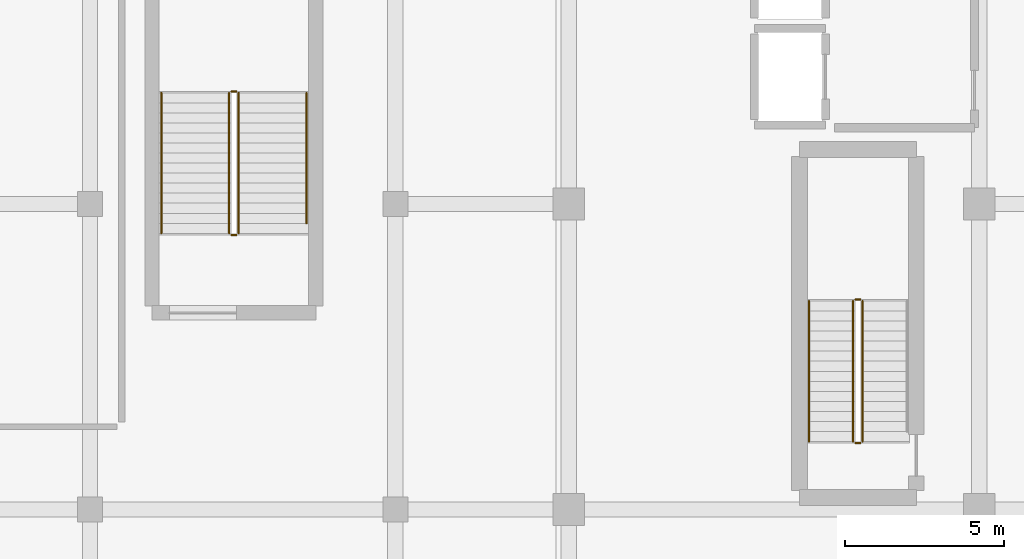
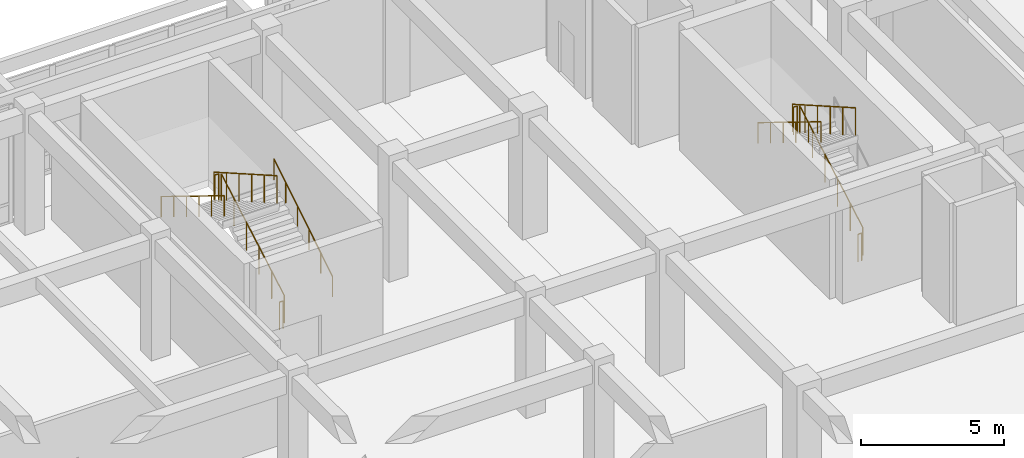
# One storey, part 131 of 134: 11 railings.
"""IFC4 building model written with IfcOpenShell, lengths in metres."""

from ifc_helpers import new_model, si_unit, direction, frame, origin, origin_2d, place, context, subcontext, project, spatial, circle, extrude, material, type_object, element, save


model = new_model("IFC4")

# Units and contexts
model_context = context("Model", 3, precision=1e-05, world=origin(), true_north=direction((0.0, 1.0)))
body_context = subcontext(model_context, "Body", "Model", "MODEL_VIEW")
ifc_project = project(units=[si_unit("LENGTHUNIT", "METRE"), si_unit("AREAUNIT", "SQUARE_METRE"), si_unit("VOLUMEUNIT", "CUBIC_METRE"), si_unit("PLANEANGLEUNIT", "RADIAN"), si_unit("MASSUNIT", "GRAM", prefix="KILO")], contexts=[model_context])

# Site, building, storey
site_placement = place(None, origin())
site = spatial("IfcSite", under=ifc_project, at=site_placement, CompositionType="ELEMENT")
building_placement = place(site_placement, origin())
building = spatial("IfcBuilding", under=site, at=building_placement, Name="Nakhvara Creek Congress Hotel", CompositionType="ELEMENT")
storey_placement = place(building_placement, frame((0.0, 0.0, 6.0)))
storey = spatial("IfcBuildingStorey", under=building, at=storey_placement, Name="L01", CompositionType="ELEMENT", Elevation=6.0)

# Railings
ifc_material = material(Name="Brushed stainless steel 316L", Category="steel")
railing_type_1 = type_object("IfcRailingType", Name="RL-GUARD-1200", PredefinedType="GUARDRAIL", material=ifc_material)
railing_1_placement = place(storey_placement, frame((158.68505859375, 78.93994140625, 0.179931640625)))
element("IfcRailing", 1, at=railing_1_placement, inside=storey, type_object=railing_type_1, Name="L01 ST01 stair guard 1", PredefinedType="GUARDRAIL", context=body_context, shape_type="SweptSolid", body=[
    extrude(circle(Radius=0.02392578125, at=origin_2d()), frame((0.0, 0.0126953125, 1.18310546875), z_axis=(0.0, 0.868249057775, 0.496128585825), x_axis=(-1.0, 0.0, 0.0)), (0.0, 0.0, 1.0), 5.050048828125),
    extrude(circle(Radius=0.02099609375, at=origin_2d()), origin(), (0.0, 0.0, 1.0), 1.1806640625),
    extrude(circle(Radius=0.02099609375, at=origin_2d()), frame((0.0, 0.882080078125, 0.50390625)), (0.0, 0.0, 1.0), 1.1806640625),
    extrude(circle(Radius=0.02099609375, at=origin_2d()), frame((0.0, 1.76416015625, 1.008056640625)), (0.0, 0.0, 1.0), 1.1806640625),
    extrude(circle(Radius=0.02099609375, at=origin_2d()), frame((0.0, 2.64599609375, 1.511962890625)), (0.0, 0.0, 1.0), 1.1806640625),
    extrude(circle(Radius=0.02099609375, at=origin_2d()), frame((0.0, 3.528076171875, 2.01611328125)), (0.0, 0.0, 1.0), 1.1806640625),
    extrude(circle(Radius=0.02099609375, at=origin_2d()), frame((0.0, 4.41015625, 2.52001953125)), (0.0, 0.0, 1.0), 1.1806640625),
])
railing_2_placement = place(storey_placement, frame((158.610107421875, 83.39990234375, 2.699951171875)))
element("IfcRailing", 2, at=railing_2_placement, inside=storey, type_object=railing_type_1, Name="L01 ST01 stair guard 2", PredefinedType="GUARDRAIL", context=body_context, shape_type="SweptSolid", body=[
    extrude(circle(Radius=0.02392578125, at=origin_2d()), frame((-0.0146484375, 0.0, 1.17578125), z_axis=(-1.0, 0.0, 0.0), x_axis=(0.0, -1.0, 0.0)), (0.0, 0.0, 1.0), 0.120849609375),
    extrude(circle(Radius=0.02099609375, at=origin_2d()), origin(), (0.0, 0.0, 1.0), 1.1806640625),
    extrude(circle(Radius=0.02099609375, at=origin_2d()), frame((-0.150146484375, 0.0, 0.0)), (0.0, 0.0, 1.0), 1.1806640625),
])
railing_3_placement = place(storey_placement, frame((158.385009765625, 83.35009765625, 2.8798828125)))
element("IfcRailing", 3, at=railing_3_placement, inside=storey, type_object=railing_type_1, Name="L01 ST01 stair guard 3", PredefinedType="GUARDRAIL", context=body_context, shape_type="SweptSolid", body=[
    extrude(circle(Radius=0.02392578125, at=origin_2d()), frame((0.0, -0.0126953125, 1.18310546875), z_axis=(0.0, -0.868249057775, 0.496128585825), x_axis=(1.0, 0.0, 0.0)), (0.0, 0.0, 1.0), 5.050048828125),
    extrude(circle(Radius=0.02099609375, at=origin_2d()), origin(), (0.0, 0.0, 1.0), 1.1806640625),
    extrude(circle(Radius=0.02099609375, at=origin_2d()), frame((0.0, -0.882080078125, 0.50390625)), (0.0, 0.0, 1.0), 1.1806640625),
    extrude(circle(Radius=0.02099609375, at=origin_2d()), frame((0.0, -1.76416015625, 1.008056640625)), (0.0, 0.0, 1.0), 1.1806640625),
    extrude(circle(Radius=0.02099609375, at=origin_2d()), frame((0.0, -2.64599609375, 1.511962890625)), (0.0, 0.0, 1.0), 1.1806640625),
    extrude(circle(Radius=0.02099609375, at=origin_2d()), frame((0.0, -3.528076171875, 2.01611328125)), (0.0, 0.0, 1.0), 1.1806640625),
    extrude(circle(Radius=0.02099609375, at=origin_2d()), frame((0.0, -4.41015625, 2.52001953125)), (0.0, 0.0, 1.0), 1.1806640625),
])
railing_4_placement = place(storey_placement, frame((158.610107421875, 78.889892578125, 0.0)))
element("IfcRailing", 4, at=railing_4_placement, inside=storey, type_object=railing_type_1, Name="L01 ST01 stair guard 4", PredefinedType="GUARDRAIL", context=body_context, shape_type="SweptSolid", body=[
    extrude(circle(Radius=0.02392578125, at=origin_2d()), frame((-0.0146484375, 0.0, 1.17578125), z_axis=(-1.0, 0.0, 0.0), x_axis=(0.0, -1.0, 0.0)), (0.0, 0.0, 1.0), 0.120849609375),
    extrude(circle(Radius=0.02099609375, at=origin_2d()), origin(), (0.0, 0.0, 1.0), 1.1806640625),
    extrude(circle(Radius=0.02099609375, at=origin_2d()), frame((-0.150146484375, 0.0, 0.0)), (0.0, 0.0, 1.0), 1.1806640625),
])
railing_5_placement = place(storey_placement, frame((139.074951171875, 85.47998046875, 0.179931640625)))
element("IfcRailing", 5, at=railing_5_placement, inside=storey, type_object=railing_type_1, Name="L01 ST10 stair guard 1", PredefinedType="GUARDRAIL", context=body_context, shape_type="SweptSolid", body=[
    extrude(circle(Radius=0.02392578125, at=origin_2d()), frame((0.0, 0.0126953125, 1.18310546875), z_axis=(0.0, 0.868237226104, 0.49614929125), x_axis=(-1.0, 0.0, 0.0)), (0.0, 0.0, 1.0), 5.0498046875),
    extrude(circle(Radius=0.02099609375, at=origin_2d()), origin(), (0.0, 0.0, 1.0), 1.1806640625),
    extrude(circle(Radius=0.02099609375, at=origin_2d()), frame((0.0, 0.882080078125, 0.50390625)), (0.0, 0.0, 1.0), 1.1806640625),
    extrude(circle(Radius=0.02099609375, at=origin_2d()), frame((0.0, 1.763916015625, 1.008056640625)), (0.0, 0.0, 1.0), 1.1806640625),
    extrude(circle(Radius=0.02099609375, at=origin_2d()), frame((0.0, 2.64599609375, 1.511962890625)), (0.0, 0.0, 1.0), 1.1806640625),
    extrude(circle(Radius=0.02099609375, at=origin_2d()), frame((0.0, 3.52783203125, 2.01611328125)), (0.0, 0.0, 1.0), 1.1806640625),
    extrude(circle(Radius=0.02099609375, at=origin_2d()), frame((0.0, 4.409912109375, 2.52001953125)), (0.0, 0.0, 1.0), 1.1806640625),
])
railing_6_placement = place(storey_placement, frame((139.0, 89.93994140625, 2.699951171875)))
element("IfcRailing", 6, at=railing_6_placement, inside=storey, type_object=railing_type_1, Name="L01 ST10 stair guard 2", PredefinedType="GUARDRAIL", context=body_context, shape_type="SweptSolid", body=[
    extrude(circle(Radius=0.02392578125, at=origin_2d()), frame((-0.0146484375, 0.0, 1.17578125), z_axis=(-1.0, 0.0, 0.0), x_axis=(0.0, -1.0, 0.0)), (0.0, 0.0, 1.0), 0.12060546875),
    extrude(circle(Radius=0.02099609375, at=origin_2d()), origin(), (0.0, 0.0, 1.0), 1.1806640625),
    extrude(circle(Radius=0.02099609375, at=origin_2d()), frame((-0.14990234375, 0.0, 0.0)), (0.0, 0.0, 1.0), 1.1806640625),
])
railing_7_placement = place(storey_placement, frame((138.77490234375, 89.889892578125, 2.8798828125)))
element("IfcRailing", 7, at=railing_7_placement, inside=storey, type_object=railing_type_1, Name="L01 ST10 stair guard 3", PredefinedType="GUARDRAIL", context=body_context, shape_type="SweptSolid", body=[
    extrude(circle(Radius=0.02392578125, at=origin_2d()), frame((0.0, -0.0126953125, 1.18310546875), z_axis=(0.0, -0.868237226104, 0.49614929125), x_axis=(1.0, 0.0, 0.0)), (0.0, 0.0, 1.0), 5.0498046875),
    extrude(circle(Radius=0.02099609375, at=origin_2d()), origin(), (0.0, 0.0, 1.0), 1.1806640625),
    extrude(circle(Radius=0.02099609375, at=origin_2d()), frame((0.0, -0.882080078125, 0.50390625)), (0.0, 0.0, 1.0), 1.1806640625),
    extrude(circle(Radius=0.02099609375, at=origin_2d()), frame((0.0, -1.763916015625, 1.008056640625)), (0.0, 0.0, 1.0), 1.1806640625),
    extrude(circle(Radius=0.02099609375, at=origin_2d()), frame((0.0, -2.64599609375, 1.511962890625)), (0.0, 0.0, 1.0), 1.1806640625),
    extrude(circle(Radius=0.02099609375, at=origin_2d()), frame((0.0, -3.52783203125, 2.01611328125)), (0.0, 0.0, 1.0), 1.1806640625),
    extrude(circle(Radius=0.02099609375, at=origin_2d()), frame((0.0, -4.409912109375, 2.52001953125)), (0.0, 0.0, 1.0), 1.1806640625),
])
railing_8_placement = place(storey_placement, frame((139.0, 85.429931640625, 0.0)))
element("IfcRailing", 8, at=railing_8_placement, inside=storey, type_object=railing_type_1, Name="L01 ST10 stair guard 4", PredefinedType="GUARDRAIL", context=body_context, shape_type="SweptSolid", body=[
    extrude(circle(Radius=0.02392578125, at=origin_2d()), frame((-0.0146484375, 0.0, 1.17578125), z_axis=(-1.0, 0.0, 0.0), x_axis=(0.0, -1.0, 0.0)), (0.0, 0.0, 1.0), 0.12060546875),
    extrude(circle(Radius=0.02099609375, at=origin_2d()), origin(), (0.0, 0.0, 1.0), 1.1806640625),
    extrude(circle(Radius=0.02099609375, at=origin_2d()), frame((-0.14990234375, 0.0, 0.0)), (0.0, 0.0, 1.0), 1.1806640625),
])
railing_type_2 = type_object("IfcRailingType", Name="RL-HAND-900", PredefinedType="HANDRAIL", material=ifc_material)
railing_9_placement = place(storey_placement, frame((156.9951171875, 83.35009765625, 2.8798828125)))
element("IfcRailing", 9, at=railing_9_placement, inside=storey, type_object=railing_type_2, Name="L01 ST01 stair handrail 2", PredefinedType="HANDRAIL", context=body_context, shape_type="SweptSolid", body=[
    extrude(circle(Radius=0.02392578125, at=origin_2d()), frame((0.0, -0.012451171875, 0.883544921875), z_axis=(0.0, -0.851896254754, 0.523710579553), x_axis=(1.0, 0.0, 0.0)), (0.0, 0.0, 1.0), 5.1474609375),
    extrude(circle(Radius=0.02099609375, at=origin_2d()), origin(), (0.0, 0.0, 1.0), 0.880615234375),
    extrude(circle(Radius=0.02099609375, at=origin_2d()), frame((0.0, -0.882080078125, 0.542236328125)), (0.0, 0.0, 1.0), 0.880615234375),
    extrude(circle(Radius=0.02099609375, at=origin_2d()), frame((0.0, -1.76416015625, 1.08447265625)), (0.0, 0.0, 1.0), 0.880615234375),
    extrude(circle(Radius=0.02099609375, at=origin_2d()), frame((0.0, -2.64599609375, 1.626708984375)), (0.0, 0.0, 1.0), 0.880615234375),
    extrude(circle(Radius=0.02099609375, at=origin_2d()), frame((0.0, -3.528076171875, 2.1689453125)), (0.0, 0.0, 1.0), 0.880615234375),
    extrude(circle(Radius=0.02099609375, at=origin_2d()), frame((0.0, -4.41015625, 2.711181640625)), (0.0, 0.0, 1.0), 0.880615234375),
])
railing_10_placement = place(storey_placement, frame((141.205078125, 85.794921875, 0.360107421875)))
element("IfcRailing", 10, at=railing_10_placement, inside=storey, type_object=railing_type_2, Name="L01 ST10 stair handrail 1", PredefinedType="HANDRAIL", context=body_context, shape_type="SweptSolid", body=[
    extrude(circle(Radius=0.02392578125, at=origin_2d()), frame((0.0, 0.012451171875, 0.883544921875), z_axis=(0.0, 0.850634571024, 0.52575738376), x_axis=(-1.0, 0.0, 0.0)), (0.0, 0.0, 1.0), 4.78466796875),
    extrude(circle(Radius=0.02099609375, at=origin_2d()), origin(), (0.0, 0.0, 1.0), 0.880615234375),
    extrude(circle(Radius=0.02099609375, at=origin_2d()), frame((0.0, 0.819091796875, 0.506103515625)), (0.0, 0.0, 1.0), 0.880615234375),
    extrude(circle(Radius=0.02099609375, at=origin_2d()), frame((0.0, 1.637939453125, 1.012451171875)), (0.0, 0.0, 1.0), 0.880615234375),
    extrude(circle(Radius=0.02099609375, at=origin_2d()), frame((0.0, 2.45703125, 1.5185546875)), (0.0, 0.0, 1.0), 0.880615234375),
    extrude(circle(Radius=0.02099609375, at=origin_2d()), frame((0.0, 3.27587890625, 2.02490234375)), (0.0, 0.0, 1.0), 0.880615234375),
    extrude(circle(Radius=0.02099609375, at=origin_2d()), frame((0.0, 4.094970703125, 2.531005859375)), (0.0, 0.0, 1.0), 0.880615234375),
])
railing_11_placement = place(storey_placement, frame((136.64501953125, 89.889892578125, 2.8798828125)))
element("IfcRailing", 11, at=railing_11_placement, inside=storey, type_object=railing_type_2, Name="L01 ST10 stair handrail 2", PredefinedType="HANDRAIL", context=body_context, shape_type="SweptSolid", body=[
    extrude(circle(Radius=0.02392578125, at=origin_2d()), frame((0.0, -0.012451171875, 0.883544921875), z_axis=(0.0, -0.851883319301, 0.523731620486), x_axis=(1.0, 0.0, 0.0)), (0.0, 0.0, 1.0), 5.147216796875),
    extrude(circle(Radius=0.02099609375, at=origin_2d()), origin(), (0.0, 0.0, 1.0), 0.880615234375),
    extrude(circle(Radius=0.02099609375, at=origin_2d()), frame((0.0, -0.882080078125, 0.542236328125)), (0.0, 0.0, 1.0), 0.880615234375),
    extrude(circle(Radius=0.02099609375, at=origin_2d()), frame((0.0, -1.763916015625, 1.08447265625)), (0.0, 0.0, 1.0), 0.880615234375),
    extrude(circle(Radius=0.02099609375, at=origin_2d()), frame((0.0, -2.64599609375, 1.626708984375)), (0.0, 0.0, 1.0), 0.880615234375),
    extrude(circle(Radius=0.02099609375, at=origin_2d()), frame((0.0, -3.52783203125, 2.1689453125)), (0.0, 0.0, 1.0), 0.880615234375),
    extrude(circle(Radius=0.02099609375, at=origin_2d()), frame((0.0, -4.409912109375, 2.711181640625)), (0.0, 0.0, 1.0), 0.880615234375),
])

save(model, "model.ifc")
